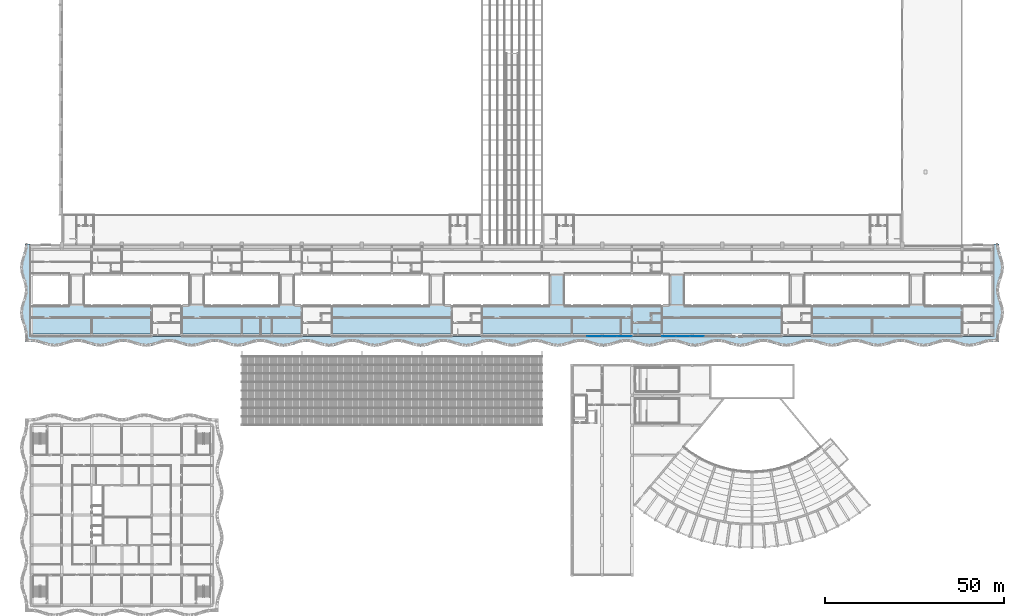
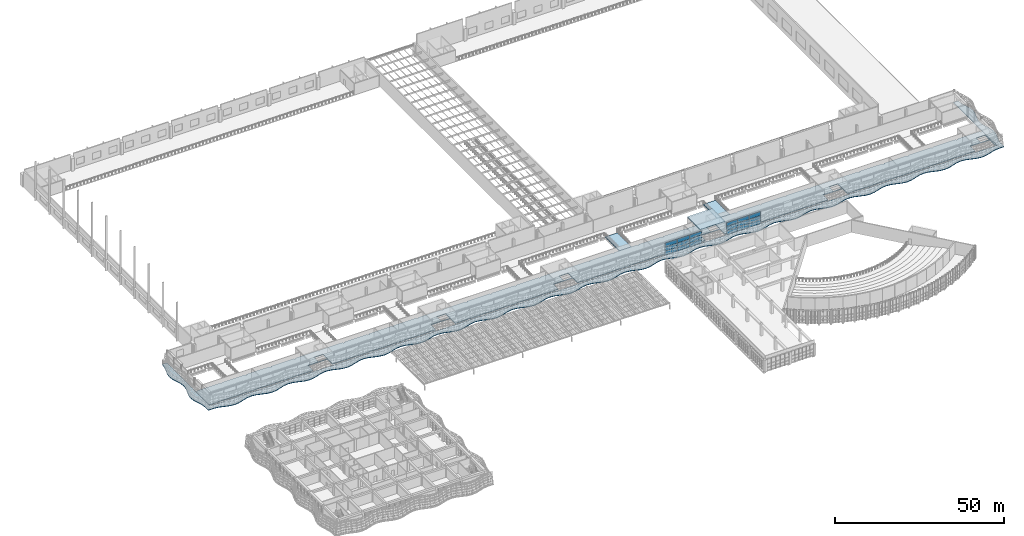
# One storey, part 74 of 162: 18 plates, 5 slabs, 2 elements without a shape of their own.
"""IFC4 building model written with IfcOpenShell, lengths in metres."""

from ifc_helpers import new_model, si_unit, direction, frame, origin, origin_2d, place, context, subcontext, project, spatial, polyline, rectangle, outline, extrude, material, layer, layer_set, type_object, element, aggregate, save


model = new_model("IFC4")

# Units and contexts
model_context = context("Model", 3, precision=1e-05, world=origin(), true_north=direction((0.0, 1.0)))
body_context = subcontext(model_context, "Body", "Model", "MODEL_VIEW")
ifc_project = project(units=[si_unit("LENGTHUNIT", "METRE"), si_unit("AREAUNIT", "SQUARE_METRE"), si_unit("VOLUMEUNIT", "CUBIC_METRE"), si_unit("PLANEANGLEUNIT", "RADIAN"), si_unit("MASSUNIT", "GRAM", prefix="KILO")], contexts=[model_context])

# Site, building, storey
site_placement = place(None, origin())
site = spatial("IfcSite", under=ifc_project, at=site_placement, CompositionType="ELEMENT")
building_placement = place(site_placement, origin())
building = spatial("IfcBuilding", under=site, at=building_placement, Name="Rain Tree Exposition and Congress Centre", CompositionType="ELEMENT")
storey_placement = place(building_placement, frame((0.0, 0.0, 6.0)))
storey = spatial("IfcBuildingStorey", under=building, at=storey_placement, Name="L01", CompositionType="ELEMENT", Elevation=6.0)

# Slabs
ifc_material_1 = material(Name="Precast concrete C50/60", Category="concrete")
ifc_layer_1 = layer(ifc_material_1, 0.300048828125)
ifc_layer_set_1 = layer_set([ifc_layer_1], Name="Precast concrete C50/60")
slab_type_1 = type_object("IfcSlabType", Name="Concourse bridge deck slab 300", PredefinedType="FLOOR", material=ifc_layer_set_1)
slab_1_placement = place(storey_placement, frame((0.0, 0.0, -0.300048828125)))
element("IfcSlab", 1, at=slab_1_placement, inside=storey, type_object=slab_type_1, Name="Concourse bridge deck 5", PredefinedType="FLOOR", context=body_context, shape_type="SweptSolid", body=[
    extrude(outline(polyline([(144.89990234375, 84.0), (149.10009765625, 84.0), (149.10009765625, 92.39990234375), (144.89990234375, 92.39990234375), (144.89990234375, 84.0)])), origin(), (0.0, 0.0, 1.0), 0.300048828125),
])
slab_2_placement = place(storey_placement, frame((0.0, 0.0, -0.300048828125)))
element("IfcSlab", 2, at=slab_2_placement, inside=storey, type_object=slab_type_1, Name="Concourse bridge deck 6", PredefinedType="FLOOR", context=body_context, shape_type="SweptSolid", body=[
    extrude(outline(polyline([(178.5, 84.0), (182.699951171875, 84.0), (182.699951171875, 92.39990234375), (178.5, 92.39990234375), (178.5, 84.0)])), origin(), (0.0, 0.0, 1.0), 0.300048828125),
])
ifc_material_2 = material(Name="Concrete C40/50", Category="concrete")
ifc_layer_2 = layer(ifc_material_2, 0.300048828125)
ifc_layer_set_2 = layer_set([ifc_layer_2], Name="Concrete C40/50")
slab_type_2 = type_object("IfcSlabType", Name="Concourse core roof slab 300", PredefinedType="ROOF", material=ifc_layer_set_2)
slab_3_placement = place(storey_placement, frame((0.0, 0.0, 4.199951171875)))
element("IfcSlab", 3, at=slab_3_placement, inside=storey, type_object=slab_type_2, Name="Concourse core 4 roof", PredefinedType="ROOF", context=body_context, shape_type="SweptSolid", body=[
    extrude(outline(polyline([(176.425048828125, 83.699951171875), (176.425048828125, 75.949951171875), (176.050048828125, 75.949951171875), (168.35009765625, 75.949951171875), (167.97509765625, 75.949951171875), (167.97509765625, 83.699951171875), (176.425048828125, 83.699951171875)])), origin(), (0.0, 0.0, 1.0), 0.300048828125),
])

# Curtain wall, plates
ifc_material_3 = material(Name="Aluminium curtain wall system", Category="aluminium")
ifc_layer_3 = layer(ifc_material_3, 0.10009765625)
ifc_layer_set_3 = layer_set([ifc_layer_3], Name="Aluminium curtain wall system")
curtain_wall_type = type_object("IfcCurtainWallType", Name="Concourse curtain wall 4200 module", PredefinedType="NOTDEFINED", material=ifc_layer_set_3)
curtain_wall_1_placement = place(storey_placement, origin())
curtain_wall_1 = element("IfcCurtainWall", 4, at=curtain_wall_1_placement, inside=storey, type_object=curtain_wall_type, Name="Concourse curtain wall CWC25", PredefinedType="NOTDEFINED")
ifc_material_4 = material(Name="Laminated low-e glass", Category="glass")
ifc_layer_4 = layer(ifc_material_4, 0.028076171875)
ifc_layer_set_4 = layer_set([ifc_layer_4], Name="Laminated low-e glass")
plate_type = type_object("IfcPlateType", Name="Concourse curtain wall glass panel 28", PredefinedType="CURTAIN_PANEL", material=ifc_layer_set_4)
plate_1_placement = place(storey_placement, frame((157.5, 75.199951171875, 0.06005859375), z_axis=(0.0, 0.0, 1.0), x_axis=(1.0, 0.0, 0.0)))
plate_1 = element("IfcPlate", 5, at=plate_1_placement, type_object=plate_type, Name="CWC25 panel 8.1", PredefinedType="CURTAIN_PANEL", context=body_context, shape_type="SweptSolid", body=[
    extrude(rectangle(XDim=4.139892578125, YDim=0.028076171875, at=origin_2d()), origin(), (0.0, 0.0, 1.0), 1.409912109375),
])
plate_2_placement = place(storey_placement, frame((157.5, 75.199951171875, 1.530029296875), z_axis=(0.0, 0.0, 1.0), x_axis=(1.0, 0.0, 0.0)))
plate_2 = element("IfcPlate", 6, at=plate_2_placement, type_object=plate_type, Name="CWC25 panel 8.2", PredefinedType="CURTAIN_PANEL", context=body_context, shape_type="SweptSolid", body=[
    extrude(rectangle(XDim=4.139892578125, YDim=0.028076171875, at=origin_2d()), origin(), (0.0, 0.0, 1.0), 1.43994140625),
])
plate_3_placement = place(storey_placement, frame((157.5, 75.199951171875, 3.0302734375), z_axis=(0.0, 0.0, 1.0), x_axis=(1.0, 0.0, 0.0)))
plate_3 = element("IfcPlate", 7, at=plate_3_placement, type_object=plate_type, Name="CWC25 panel 8.3", PredefinedType="CURTAIN_PANEL", context=body_context, shape_type="SweptSolid", body=[
    extrude(rectangle(XDim=4.139892578125, YDim=0.028076171875, at=origin_2d()), origin(), (0.0, 0.0, 1.0), 1.409912109375),
])
plate_4_placement = place(storey_placement, frame((161.699951171875, 75.199951171875, 0.06005859375), z_axis=(0.0, 0.0, 1.0), x_axis=(1.0, 0.0, 0.0)))
plate_4 = element("IfcPlate", 8, at=plate_4_placement, type_object=plate_type, Name="CWC25 panel 9.1", PredefinedType="CURTAIN_PANEL", context=body_context, shape_type="SweptSolid", body=[
    extrude(rectangle(XDim=4.139892578125, YDim=0.028076171875, at=origin_2d()), origin(), (0.0, 0.0, 1.0), 1.409912109375),
])
plate_5_placement = place(storey_placement, frame((161.699951171875, 75.199951171875, 1.530029296875), z_axis=(0.0, 0.0, 1.0), x_axis=(1.0, 0.0, 0.0)))
plate_5 = element("IfcPlate", 9, at=plate_5_placement, type_object=plate_type, Name="CWC25 panel 9.2", PredefinedType="CURTAIN_PANEL", context=body_context, shape_type="SweptSolid", body=[
    extrude(rectangle(XDim=4.139892578125, YDim=0.028076171875, at=origin_2d()), origin(), (0.0, 0.0, 1.0), 1.43994140625),
])
plate_6_placement = place(storey_placement, frame((161.699951171875, 75.199951171875, 3.0302734375), z_axis=(0.0, 0.0, 1.0), x_axis=(1.0, 0.0, 0.0)))
plate_6 = element("IfcPlate", 10, at=plate_6_placement, type_object=plate_type, Name="CWC25 panel 9.3", PredefinedType="CURTAIN_PANEL", context=body_context, shape_type="SweptSolid", body=[
    extrude(rectangle(XDim=4.139892578125, YDim=0.028076171875, at=origin_2d()), origin(), (0.0, 0.0, 1.0), 1.409912109375),
])
plate_7_placement = place(storey_placement, frame((165.885009765625, 75.199951171875, 0.06005859375), z_axis=(0.0, 0.0, 1.0), x_axis=(1.0, 0.0, 0.0)))
plate_7 = element("IfcPlate", 11, at=plate_7_placement, type_object=plate_type, Name="CWC25 panel 10.1", PredefinedType="CURTAIN_PANEL", context=body_context, shape_type="SweptSolid", body=[
    extrude(rectangle(XDim=4.110107421875, YDim=0.028076171875, at=origin_2d()), origin(), (0.0, 0.0, 1.0), 1.409912109375),
])
plate_8_placement = place(storey_placement, frame((165.885009765625, 75.199951171875, 1.530029296875), z_axis=(0.0, 0.0, 1.0), x_axis=(1.0, 0.0, 0.0)))
plate_8 = element("IfcPlate", 12, at=plate_8_placement, type_object=plate_type, Name="CWC25 panel 10.2", PredefinedType="CURTAIN_PANEL", context=body_context, shape_type="SweptSolid", body=[
    extrude(rectangle(XDim=4.110107421875, YDim=0.028076171875, at=origin_2d()), origin(), (0.0, 0.0, 1.0), 1.43994140625),
])
plate_9_placement = place(storey_placement, frame((165.885009765625, 75.199951171875, 3.0302734375), z_axis=(0.0, 0.0, 1.0), x_axis=(1.0, 0.0, 0.0)))
plate_9 = element("IfcPlate", 13, at=plate_9_placement, type_object=plate_type, Name="CWC25 panel 10.3", PredefinedType="CURTAIN_PANEL", context=body_context, shape_type="SweptSolid", body=[
    extrude(rectangle(XDim=4.110107421875, YDim=0.028076171875, at=origin_2d()), origin(), (0.0, 0.0, 1.0), 1.409912109375),
])
aggregate(curtain_wall_1, [plate_1, plate_2, plate_3, plate_4, plate_5, plate_6, plate_7, plate_8, plate_9])

curtain_wall_2_placement = place(storey_placement, origin())
curtain_wall_2 = element("IfcCurtainWall", 14, at=curtain_wall_2_placement, inside=storey, type_object=curtain_wall_type, Name="Concourse curtain wall CWC26", PredefinedType="NOTDEFINED")
plate_10_placement = place(storey_placement, frame((178.364990234375, 75.199951171875, 0.06005859375), z_axis=(0.0, 0.0, 1.0), x_axis=(1.0, 0.0, 0.0)))
plate_10 = element("IfcPlate", 15, at=plate_10_placement, type_object=plate_type, Name="CWC26 panel 1.1", PredefinedType="CURTAIN_PANEL", context=body_context, shape_type="SweptSolid", body=[
    extrude(rectangle(XDim=3.81005859375, YDim=0.028076171875, at=origin_2d()), origin(), (0.0, 0.0, 1.0), 1.409912109375),
])
plate_11_placement = place(storey_placement, frame((178.364990234375, 75.199951171875, 1.530029296875), z_axis=(0.0, 0.0, 1.0), x_axis=(1.0, 0.0, 0.0)))
plate_11 = element("IfcPlate", 16, at=plate_11_placement, type_object=plate_type, Name="CWC26 panel 1.2", PredefinedType="CURTAIN_PANEL", context=body_context, shape_type="SweptSolid", body=[
    extrude(rectangle(XDim=3.81005859375, YDim=0.028076171875, at=origin_2d()), origin(), (0.0, 0.0, 1.0), 1.43994140625),
])
plate_12_placement = place(storey_placement, frame((178.364990234375, 75.199951171875, 3.0302734375), z_axis=(0.0, 0.0, 1.0), x_axis=(1.0, 0.0, 0.0)))
plate_12 = element("IfcPlate", 17, at=plate_12_placement, type_object=plate_type, Name="CWC26 panel 1.3", PredefinedType="CURTAIN_PANEL", context=body_context, shape_type="SweptSolid", body=[
    extrude(rectangle(XDim=3.81005859375, YDim=0.028076171875, at=origin_2d()), origin(), (0.0, 0.0, 1.0), 1.409912109375),
])
plate_13_placement = place(storey_placement, frame((182.25, 75.199951171875, 0.06005859375), z_axis=(0.0, 0.0, 1.0), x_axis=(1.0, 0.0, 0.0)))
plate_13 = element("IfcPlate", 18, at=plate_13_placement, type_object=plate_type, Name="CWC26 panel 2.1", PredefinedType="CURTAIN_PANEL", context=body_context, shape_type="SweptSolid", body=[
    extrude(rectangle(XDim=3.840087890625, YDim=0.028076171875, at=origin_2d()), origin(), (0.0, 0.0, 1.0), 1.409912109375),
])
plate_14_placement = place(storey_placement, frame((182.25, 75.199951171875, 1.530029296875), z_axis=(0.0, 0.0, 1.0), x_axis=(1.0, 0.0, 0.0)))
plate_14 = element("IfcPlate", 19, at=plate_14_placement, type_object=plate_type, Name="CWC26 panel 2.2", PredefinedType="CURTAIN_PANEL", context=body_context, shape_type="SweptSolid", body=[
    extrude(rectangle(XDim=3.840087890625, YDim=0.028076171875, at=origin_2d()), origin(), (0.0, 0.0, 1.0), 1.43994140625),
])
plate_15_placement = place(storey_placement, frame((182.25, 75.199951171875, 3.0302734375), z_axis=(0.0, 0.0, 1.0), x_axis=(1.0, 0.0, 0.0)))
plate_15 = element("IfcPlate", 20, at=plate_15_placement, type_object=plate_type, Name="CWC26 panel 2.3", PredefinedType="CURTAIN_PANEL", context=body_context, shape_type="SweptSolid", body=[
    extrude(rectangle(XDim=3.840087890625, YDim=0.028076171875, at=origin_2d()), origin(), (0.0, 0.0, 1.0), 1.409912109375),
])
plate_16_placement = place(storey_placement, frame((186.14990234375, 75.199951171875, 0.06005859375), z_axis=(0.0, 0.0, 1.0), x_axis=(1.0, 0.0, 0.0)))
plate_16 = element("IfcPlate", 21, at=plate_16_placement, type_object=plate_type, Name="CWC26 panel 3.1", PredefinedType="CURTAIN_PANEL", context=body_context, shape_type="SweptSolid", body=[
    extrude(rectangle(XDim=3.840087890625, YDim=0.028076171875, at=origin_2d()), origin(), (0.0, 0.0, 1.0), 1.409912109375),
])
plate_17_placement = place(storey_placement, frame((186.14990234375, 75.199951171875, 1.530029296875), z_axis=(0.0, 0.0, 1.0), x_axis=(1.0, 0.0, 0.0)))
plate_17 = element("IfcPlate", 22, at=plate_17_placement, type_object=plate_type, Name="CWC26 panel 3.2", PredefinedType="CURTAIN_PANEL", context=body_context, shape_type="SweptSolid", body=[
    extrude(rectangle(XDim=3.840087890625, YDim=0.028076171875, at=origin_2d()), origin(), (0.0, 0.0, 1.0), 1.43994140625),
])
plate_18_placement = place(storey_placement, frame((186.14990234375, 75.199951171875, 3.0302734375), z_axis=(0.0, 0.0, 1.0), x_axis=(1.0, 0.0, 0.0)))
plate_18 = element("IfcPlate", 23, at=plate_18_placement, type_object=plate_type, Name="CWC26 panel 3.3", PredefinedType="CURTAIN_PANEL", context=body_context, shape_type="SweptSolid", body=[
    extrude(rectangle(XDim=3.840087890625, YDim=0.028076171875, at=origin_2d()), origin(), (0.0, 0.0, 1.0), 1.409912109375),
])
aggregate(curtain_wall_2, [plate_10, plate_11, plate_12, plate_13, plate_14, plate_15, plate_16, plate_17, plate_18])

# Slabs
ifc_material_5 = material(Name="Precast concrete C50/60", Category="concrete")
ifc_layer_5 = layer(ifc_material_5, 0.300048828125)
ifc_layer_set_5 = layer_set([ifc_layer_5], Name="Precast concrete C50/60")
slab_type_3 = type_object("IfcSlabType", Name="Concourse hollow-core floor slab 300", PredefinedType="FLOOR", material=ifc_layer_set_5)
slab_4_placement = place(storey_placement, frame((0.0, 0.0, -0.300048828125)))
element("IfcSlab", 24, at=slab_4_placement, inside=storey, type_object=slab_type_3, Name="Concourse L01 floor south gallery", PredefinedType="FLOOR", context=body_context, shape_type="SweptSolid", body=[
    extrude(outline(polyline([(269.14990234375, 75.949951171875), (268.75, 75.949951171875), (268.75, 78.949951171875), (262.110107421875, 78.949951171875), (262.110107421875, 75.949951171875), (260.75, 75.949951171875), (260.050048828125, 75.949951171875), (252.35009765625, 75.949951171875), (251.64990234375, 75.949951171875), (243.949951171875, 75.949951171875), (243.25, 75.949951171875), (235.550048828125, 75.949951171875), (234.85009765625, 75.949951171875), (227.14990234375, 75.949951171875), (226.449951171875, 75.949951171875), (218.75, 75.949951171875), (218.35009765625, 75.949951171875), (218.35009765625, 78.949951171875), (211.7099609375, 78.949951171875), (211.7099609375, 75.949951171875), (210.35009765625, 75.949951171875), (209.64990234375, 75.949951171875), (201.949951171875, 75.949951171875), (201.25, 75.949951171875), (193.550048828125, 75.949951171875), (192.85009765625, 75.949951171875), (185.14990234375, 75.949951171875), (184.449951171875, 75.949951171875), (176.75, 75.949951171875), (176.35009765625, 75.949951171875), (176.35009765625, 78.949951171875), (169.7099609375, 78.949951171875), (169.7099609375, 75.949951171875), (168.35009765625, 75.949951171875), (167.64990234375, 75.949951171875), (159.949951171875, 75.949951171875), (159.25, 75.949951171875), (151.550048828125, 75.949951171875), (150.85009765625, 75.949951171875), (143.14990234375, 75.949951171875), (142.449951171875, 75.949951171875), (134.75, 75.949951171875), (134.050048828125, 75.949951171875), (126.35009765625, 75.949951171875), (125.949951171875, 75.949951171875), (125.949951171875, 78.949951171875), (119.31005859375, 78.949951171875), (119.31005859375, 75.949951171875), (117.949951171875, 75.949951171875), (117.25, 75.949951171875), (109.550048828125, 75.949951171875), (108.85009765625, 75.949951171875), (101.14990234375, 75.949951171875), (100.449951171875, 75.949951171875), (92.75, 75.949951171875), (92.050048828125, 75.949951171875), (84.35009765625, 75.949951171875), (83.949951171875, 75.949951171875), (83.949951171875, 78.949951171875), (77.31005859375, 78.949951171875), (77.31005859375, 75.949951171875), (75.949951171875, 75.949951171875), (75.25, 75.949951171875), (67.550048828125, 75.949951171875), (66.85009765625, 75.949951171875), (59.14990234375, 75.949951171875), (58.449951171875, 75.949951171875), (50.75, 75.949951171875), (50.050048828125, 75.949951171875), (42.35009765625, 75.949951171875), (41.949951171875, 75.949951171875), (41.949951171875, 78.949951171875), (35.31005859375, 78.949951171875), (35.31005859375, 75.949951171875), (33.949951171875, 75.949951171875), (33.25, 75.949951171875), (25.550048828125, 75.949951171875), (24.85009765625, 75.949951171875), (17.14990234375, 75.949951171875), (16.449951171875, 75.949951171875), (8.75, 75.949951171875), (8.050048828125, 75.949951171875), (0.35009765625, 75.949951171875), (-0.35009765625, 75.949951171875), (-0.35009765625, 83.64990234375), (0.35009765625, 83.64990234375), (0.35009765625, 84.0), (8.10009765625, 84.0), (8.10009765625, 83.699951171875), (8.699951171875, 83.699951171875), (8.699951171875, 84.0), (16.5, 84.0), (16.5, 83.699951171875), (17.10009765625, 83.699951171875), (17.10009765625, 84.0), (24.89990234375, 84.0), (24.89990234375, 83.699951171875), (25.5, 83.699951171875), (25.5, 84.0), (33.300048828125, 84.0), (33.300048828125, 83.699951171875), (33.89990234375, 83.699951171875), (33.89990234375, 84.0), (41.699951171875, 84.0), (41.699951171875, 83.699951171875), (42.300048828125, 83.699951171875), (42.300048828125, 84.0), (50.10009765625, 84.0), (50.10009765625, 83.699951171875), (50.699951171875, 83.699951171875), (50.699951171875, 84.0), (58.5, 84.0), (58.5, 83.699951171875), (59.10009765625, 83.699951171875), (59.10009765625, 84.0), (66.89990234375, 84.0), (66.89990234375, 83.699951171875), (67.5, 83.699951171875), (67.5, 84.0), (75.300048828125, 84.0), (75.300048828125, 83.699951171875), (75.89990234375, 83.699951171875), (75.89990234375, 84.0), (83.699951171875, 84.0), (83.699951171875, 83.699951171875), (84.300048828125, 83.699951171875), (84.300048828125, 84.0), (92.10009765625, 84.0), (92.10009765625, 83.699951171875), (92.699951171875, 83.699951171875), (92.699951171875, 84.0), (100.5, 84.0), (100.5, 83.699951171875), (101.10009765625, 83.699951171875), (101.10009765625, 84.0), (108.89990234375, 84.0), (108.89990234375, 83.699951171875), (109.5, 83.699951171875), (109.5, 84.0), (117.300048828125, 84.0), (117.300048828125, 83.699951171875), (117.89990234375, 83.699951171875), (117.89990234375, 84.0), (125.699951171875, 84.0), (125.699951171875, 83.699951171875), (126.300048828125, 83.699951171875), (126.300048828125, 84.0), (134.10009765625, 84.0), (134.10009765625, 83.699951171875), (134.699951171875, 83.699951171875), (134.699951171875, 84.0), (142.5, 84.0), (142.5, 83.699951171875), (143.10009765625, 83.699951171875), (143.10009765625, 84.0), (150.89990234375, 84.0), (150.89990234375, 83.699951171875), (151.5, 83.699951171875), (151.5, 84.0), (159.300048828125, 84.0), (159.300048828125, 83.699951171875), (159.89990234375, 83.699951171875), (159.89990234375, 84.0), (167.699951171875, 84.0), (167.699951171875, 83.699951171875), (168.300048828125, 83.699951171875), (168.300048828125, 84.0), (176.10009765625, 84.0), (176.10009765625, 83.699951171875), (176.699951171875, 83.699951171875), (176.699951171875, 84.0), (184.5, 84.0), (184.5, 83.699951171875), (185.10009765625, 83.699951171875), (185.10009765625, 84.0), (192.89990234375, 84.0), (192.89990234375, 83.699951171875), (193.5, 83.699951171875), (193.5, 84.0), (201.300048828125, 84.0), (201.300048828125, 83.699951171875), (201.89990234375, 83.699951171875), (201.89990234375, 84.0), (209.699951171875, 84.0), (209.699951171875, 83.699951171875), (210.300048828125, 83.699951171875), (210.300048828125, 84.0), (218.10009765625, 84.0), (218.10009765625, 83.699951171875), (218.699951171875, 83.699951171875), (218.699951171875, 84.0), (226.5, 84.0), (226.5, 83.699951171875), (227.10009765625, 83.699951171875), (227.10009765625, 84.0), (234.89990234375, 84.0), (234.89990234375, 83.699951171875), (235.5, 83.699951171875), (235.5, 84.0), (243.300048828125, 84.0), (243.300048828125, 83.699951171875), (243.89990234375, 83.699951171875), (243.89990234375, 84.0), (251.699951171875, 84.0), (251.699951171875, 83.699951171875), (252.300048828125, 83.699951171875), (252.300048828125, 84.0), (260.10009765625, 84.0), (260.10009765625, 83.699951171875), (260.699951171875, 83.699951171875), (260.699951171875, 84.0), (268.449951171875, 84.0), (268.449951171875, 83.64990234375), (269.14990234375, 83.64990234375), (269.14990234375, 75.949951171875)]), holes=[polyline([(265.699951171875, 79.10009765625), (268.800048828125, 79.10009765625), (268.800048828125, 81.699951171875), (265.699951171875, 81.699951171875), (265.699951171875, 79.10009765625)]), polyline([(215.300048828125, 81.699951171875), (215.300048828125, 79.10009765625), (218.39990234375, 79.10009765625), (218.39990234375, 81.699951171875), (215.300048828125, 81.699951171875)]), polyline([(173.300048828125, 79.10009765625), (176.39990234375, 79.10009765625), (176.39990234375, 81.699951171875), (173.300048828125, 81.699951171875), (173.300048828125, 79.10009765625)]), polyline([(122.89990234375, 79.10009765625), (126.0, 79.10009765625), (126.0, 81.699951171875), (122.89990234375, 81.699951171875), (122.89990234375, 79.10009765625)]), polyline([(80.89990234375, 79.10009765625), (84.0, 79.10009765625), (84.0, 81.699951171875), (80.89990234375, 81.699951171875), (80.89990234375, 79.10009765625)]), polyline([(38.89990234375, 81.699951171875), (38.89990234375, 79.10009765625), (42.0, 79.10009765625), (42.0, 81.699951171875), (38.89990234375, 81.699951171875)])]), origin(), (0.0, 0.0, 1.0), 0.300048828125),
])
ifc_material_6 = material(Name="Concrete C40/50", Category="concrete")
ifc_layer_6 = layer(ifc_material_6, 0.25)
ifc_layer_set_6 = layer_set([ifc_layer_6], Name="Concrete C40/50")
slab_type_4 = type_object("IfcSlabType", Name="Wave ledge slab 250", PredefinedType="FLOOR", material=ifc_layer_set_6)
slab_5_placement = place(storey_placement, frame((0.0, 0.0, -0.25)))
element("IfcSlab", 25, at=slab_5_placement, inside=storey, type_object=slab_type_4, Name="concourse/ledge/L01/01", PredefinedType="FLOOR", context=body_context, shape_type="SweptSolid", body=[
    extrude(outline(polyline([(-1.900390625, 75.60009765625), (-1.900390625, 73.69970703125), (0.0, 73.69970703125), (1.60009765625, 73.49462890625), (3.199951171875, 72.999755859375), (4.800048828125, 72.504638671875), (6.39990234375, 72.2998046875), (8.0, 72.504638671875), (9.60009765625, 72.999755859375), (11.199951171875, 73.49462890625), (12.800048828125, 73.69970703125), (14.39990234375, 73.49462890625), (16.0, 72.999755859375), (17.60009765625, 72.504638671875), (19.199951171875, 72.2998046875), (20.800048828125, 72.504638671875), (22.39990234375, 72.999755859375), (24.0, 73.49462890625), (25.60009765625, 73.69970703125), (27.199951171875, 73.49462890625), (28.800048828125, 72.999755859375), (30.39990234375, 72.504638671875), (32.0, 72.2998046875), (33.60009765625, 72.504638671875), (35.199951171875, 72.999755859375), (36.800048828125, 73.49462890625), (38.39990234375, 73.69970703125), (40.0, 73.49462890625), (41.60009765625, 72.999755859375), (43.199951171875, 72.504638671875), (44.800048828125, 72.2998046875), (46.39990234375, 72.504638671875), (48.0, 72.999755859375), (49.60009765625, 73.49462890625), (51.199951171875, 73.69970703125), (52.800048828125, 73.49462890625), (54.39990234375, 72.999755859375), (56.0, 72.504638671875), (57.60009765625, 72.2998046875), (59.199951171875, 72.504638671875), (60.800048828125, 72.999755859375), (62.39990234375, 73.49462890625), (64.0, 73.69970703125), (65.60009765625, 73.49462890625), (67.199951171875, 72.999755859375), (68.800048828125, 72.504638671875), (70.39990234375, 72.2998046875), (72.0, 72.504638671875), (73.60009765625, 72.999755859375), (75.199951171875, 73.49462890625), (76.800048828125, 73.69970703125), (78.39990234375, 73.49462890625), (80.0, 72.999755859375), (81.60009765625, 72.504638671875), (83.199951171875, 72.2998046875), (84.800048828125, 72.504638671875), (86.39990234375, 72.999755859375), (88.0, 73.49462890625), (89.60009765625, 73.69970703125), (91.199951171875, 73.49462890625), (92.800048828125, 72.999755859375), (94.39990234375, 72.504638671875), (96.0, 72.2998046875), (97.60009765625, 72.504638671875), (99.199951171875, 72.999755859375), (100.800048828125, 73.49462890625), (102.39990234375, 73.69970703125), (104.0, 73.49462890625), (105.60009765625, 72.999755859375), (107.199951171875, 72.504638671875), (108.800048828125, 72.2998046875), (110.39990234375, 72.504638671875), (112.0, 72.999755859375), (113.60009765625, 73.49462890625), (115.199951171875, 73.69970703125), (116.800048828125, 73.49462890625), (118.39990234375, 72.999755859375), (120.0, 72.504638671875), (121.60009765625, 72.2998046875), (123.199951171875, 72.504638671875), (124.800048828125, 72.999755859375), (126.39990234375, 73.49462890625), (128.0, 73.69970703125), (129.60009765625, 73.49462890625), (131.199951171875, 72.999755859375), (132.800048828125, 72.504638671875), (134.39990234375, 72.2998046875), (136.0, 72.504638671875), (137.60009765625, 72.999755859375), (139.199951171875, 73.49462890625), (140.800048828125, 73.69970703125), (142.39990234375, 73.49462890625), (144.0, 72.999755859375), (145.60009765625, 72.504638671875), (147.199951171875, 72.2998046875), (148.800048828125, 72.504638671875), (150.39990234375, 72.999755859375), (152.0, 73.49462890625), (153.60009765625, 73.69970703125), (155.199951171875, 73.49462890625), (156.800048828125, 72.999755859375), (158.39990234375, 72.504638671875), (160.0, 72.2998046875), (161.60009765625, 72.504638671875), (163.199951171875, 72.999755859375), (164.800048828125, 73.49462890625), (166.39990234375, 73.69970703125), (168.0, 73.49462890625), (169.60009765625, 72.999755859375), (171.199951171875, 72.504638671875), (172.800048828125, 72.2998046875), (174.39990234375, 72.504638671875), (176.0, 72.999755859375), (177.60009765625, 73.49462890625), (179.199951171875, 73.69970703125), (180.800048828125, 73.49462890625), (182.39990234375, 72.999755859375), (184.0, 72.504638671875), (185.60009765625, 72.2998046875), (187.199951171875, 72.504638671875), (188.800048828125, 72.999755859375), (190.39990234375, 73.49462890625), (192.0, 73.69970703125), (193.60009765625, 73.49462890625), (195.199951171875, 72.999755859375), (196.800048828125, 72.504638671875), (198.39990234375, 72.2998046875), (200.0, 72.504638671875), (201.60009765625, 72.999755859375), (203.199951171875, 73.49462890625), (204.800048828125, 73.69970703125), (206.39990234375, 73.49462890625), (208.0, 72.999755859375), (209.60009765625, 72.504638671875), (211.199951171875, 72.2998046875), (212.800048828125, 72.504638671875), (214.39990234375, 72.999755859375), (216.0, 73.49462890625), (217.60009765625, 73.69970703125), (219.199951171875, 73.49462890625), (220.800048828125, 72.999755859375), (222.39990234375, 72.504638671875), (224.0, 72.2998046875), (225.60009765625, 72.504638671875), (227.199951171875, 72.999755859375), (228.800048828125, 73.49462890625), (230.39990234375, 73.69970703125), (232.0, 73.49462890625), (233.60009765625, 72.999755859375), (235.199951171875, 72.504638671875), (236.800048828125, 72.2998046875), (238.39990234375, 72.504638671875), (240.0, 72.999755859375), (241.60009765625, 73.49462890625), (243.199951171875, 73.69970703125), (244.800048828125, 73.49462890625), (246.39990234375, 72.999755859375), (248.0, 72.504638671875), (249.60009765625, 72.2998046875), (251.199951171875, 72.504638671875), (252.800048828125, 72.999755859375), (254.39990234375, 73.49462890625), (256.0, 73.69970703125), (257.60009765625, 73.49462890625), (259.199951171875, 72.999755859375), (260.800048828125, 72.504638671875), (262.39990234375, 72.2998046875), (264.0, 72.504638671875), (265.60009765625, 72.999755859375), (267.199951171875, 73.49462890625), (268.800048828125, 73.69970703125), (270.7001953125, 73.69970703125), (270.7001953125, 75.60009765625), (270.9052734375, 77.175048828125), (271.400390625, 78.75), (271.895263671875, 80.324951171875), (272.100341796875, 81.89990234375), (271.895263671875, 83.47509765625), (271.400390625, 85.050048828125), (270.9052734375, 86.625), (270.7001953125, 88.199951171875), (270.9052734375, 89.77490234375), (271.400390625, 91.35009765625), (271.895263671875, 92.925048828125), (272.100341796875, 94.5), (271.895263671875, 96.074951171875), (271.400390625, 97.64990234375), (270.9052734375, 99.22509765625), (270.7001953125, 100.800048828125), (270.7001953125, 101.0), (269.14990234375, 101.0), (269.14990234375, 75.25), (-0.35009765625, 75.25), (-0.35009765625, 101.0), (-1.900390625, 101.0), (-1.900390625, 100.800048828125), (-2.105224609375, 99.22509765625), (-2.600341796875, 97.64990234375), (-3.09521484375, 96.074951171875), (-3.30029296875, 94.5), (-3.09521484375, 92.925048828125), (-2.600341796875, 91.35009765625), (-2.105224609375, 89.77490234375), (-1.900390625, 88.199951171875), (-2.105224609375, 86.625), (-2.600341796875, 85.050048828125), (-3.09521484375, 83.47509765625), (-3.30029296875, 81.89990234375), (-3.09521484375, 80.324951171875), (-2.600341796875, 78.75), (-2.105224609375, 77.175048828125), (-1.900390625, 75.60009765625)])), origin(), (0.0, 0.0, 1.0), 0.25),
])

save(model, "model.ifc")
